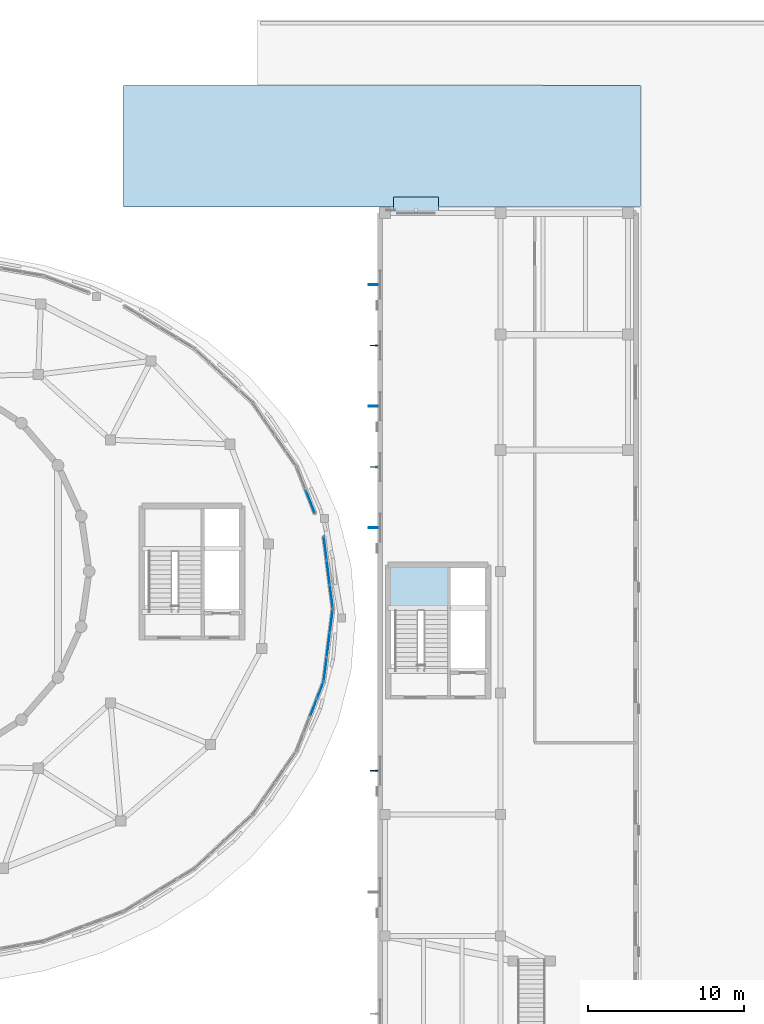
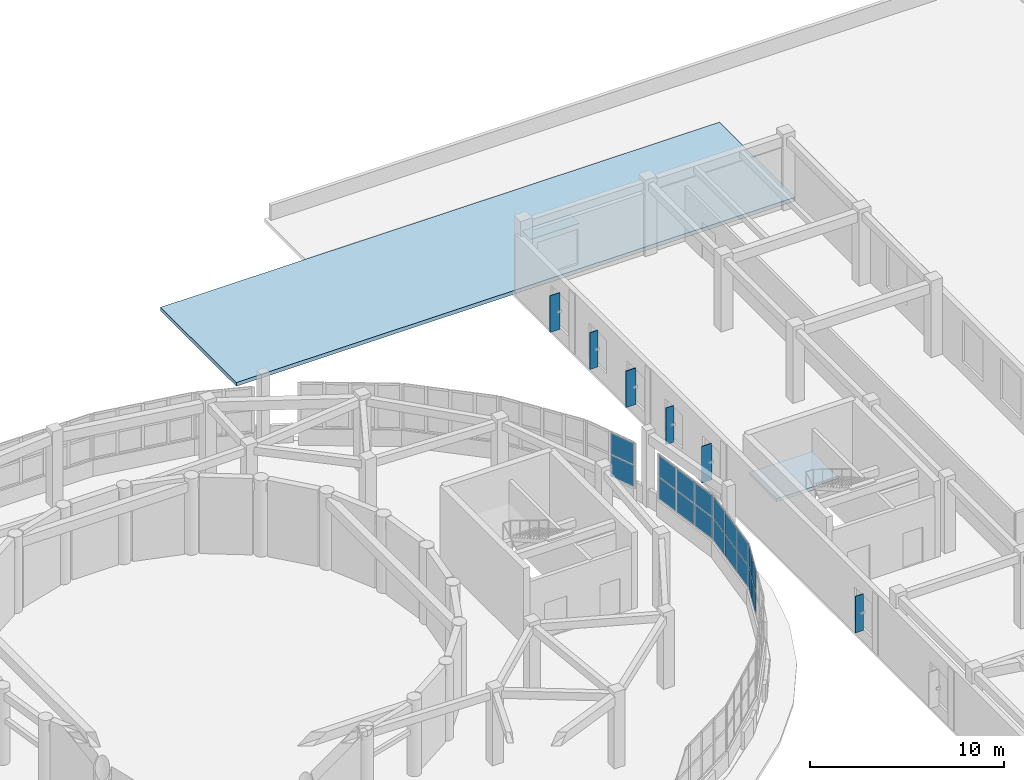
# One storey, part 83 of 105: 25 plates, 2 slabs, 5 elements without a shape of their own.
"""IFC4 building model written with IfcOpenShell, lengths in metres."""

from ifc_helpers import new_model, si_unit, direction, frame, origin, origin_2d, place, context, subcontext, project, spatial, polyline, rectangle, outline, extrude, material, layer, layer_set, type_object, element, aggregate, save


model = new_model("IFC4")

# Units and contexts
model_context = context("Model", 3, precision=1e-05, world=origin(), true_north=direction((0.0, 1.0)))
body_context = subcontext(model_context, "Body", "Model", "MODEL_VIEW")
ifc_project = project(units=[si_unit("LENGTHUNIT", "METRE"), si_unit("AREAUNIT", "SQUARE_METRE"), si_unit("VOLUMEUNIT", "CUBIC_METRE"), si_unit("PLANEANGLEUNIT", "RADIAN"), si_unit("MASSUNIT", "GRAM", prefix="KILO")], contexts=[model_context])

# Site, building, storey
site_placement = place(None, origin())
site = spatial("IfcSite", under=ifc_project, at=site_placement, CompositionType="ELEMENT")
building_placement = place(site_placement, origin())
building = spatial("IfcBuilding", under=site, at=building_placement, Name="Pelvatis Terrace Science Centre", CompositionType="ELEMENT")
storey_placement = place(building_placement, frame((0.0, 0.0, 10.199951171875)))
storey = spatial("IfcBuildingStorey", under=building, at=storey_placement, Name="L02", CompositionType="ELEMENT", Elevation=10.199951171875)

# Curtain wall, plates
ifc_material_1 = material(Name="Bronze-anodised aluminium and laminated glass", Category="aluminium")
ifc_layer_1 = layer(ifc_material_1, 0.179931640625)
ifc_layer_set_1 = layer_set([ifc_layer_1], Name="Bronze-anodised aluminium and laminated glass")
curtain_wall_type = type_object("IfcCurtainWallType", Name="CW-RIBBON-A", PredefinedType="NOTDEFINED", material=ifc_layer_set_1)
curtain_wall_1_placement = place(storey_placement, origin())
curtain_wall_1 = element("IfcCurtainWall", 1, at=curtain_wall_1_placement, inside=storey, type_object=curtain_wall_type, Name="Ribbon curtain wall CW-154 (L02)", PredefinedType="NOTDEFINED")
ifc_material_2 = material(Name="Low-e laminated solar-control double glazing", Category="glass")
ifc_layer_2 = layer(ifc_material_2, 0.035888671875)
ifc_layer_set_2 = layer_set([ifc_layer_2], Name="Low-e laminated solar-control double glazing")
plate_type_1 = type_object("IfcPlateType", Name="CWP-IGU-36", PredefinedType="CURTAIN_PANEL", material=ifc_layer_set_2)
plate_1_placement = place(storey_placement, frame((137.350341796875, 84.19287109375, 1.080078125), z_axis=(0.0, 0.0, 1.0), x_axis=(-0.124714930048, 0.992192615485, 0.0)))
plate_1 = element("IfcPlate", 2, at=plate_1_placement, type_object=plate_type_1, Name="CW-154 panel 1.1", PredefinedType="CURTAIN_PANEL", context=body_context, shape_type="SweptSolid", body=[
    extrude(rectangle(XDim=1.47802734375, YDim=0.035888671875, at=origin_2d()), origin(), (0.0, 0.0, 1.0), 1.330078125),
])
plate_2_placement = place(storey_placement, frame((137.350341796875, 84.19287109375, 2.469970703125), z_axis=(0.0, 0.0, 1.0), x_axis=(-0.124714930048, 0.992192615485, 0.0)))
plate_2 = element("IfcPlate", 3, at=plate_2_placement, type_object=plate_type_1, Name="CW-154 panel 1.2", PredefinedType="CURTAIN_PANEL", context=body_context, shape_type="SweptSolid", body=[
    extrude(rectangle(XDim=1.47802734375, YDim=0.035888671875, at=origin_2d()), origin(), (0.0, 0.0, 1.0), 1.330078125),
])
plate_3_placement = place(storey_placement, frame((137.15673828125, 85.73388671875, 1.080078125), z_axis=(0.0, 0.0, 1.0), x_axis=(-0.124714930048, 0.992192615485, 0.0)))
plate_3 = element("IfcPlate", 4, at=plate_3_placement, type_object=plate_type_1, Name="CW-154 panel 2.1", PredefinedType="CURTAIN_PANEL", context=body_context, shape_type="SweptSolid", body=[
    extrude(rectangle(XDim=1.508056640625, YDim=0.035888671875, at=origin_2d()), origin(), (0.0, 0.0, 1.0), 1.330078125),
])
plate_4_placement = place(storey_placement, frame((137.15673828125, 85.73388671875, 2.469970703125), z_axis=(0.0, 0.0, 1.0), x_axis=(-0.124714930048, 0.992192615485, 0.0)))
plate_4 = element("IfcPlate", 5, at=plate_4_placement, type_object=plate_type_1, Name="CW-154 panel 2.2", PredefinedType="CURTAIN_PANEL", context=body_context, shape_type="SweptSolid", body=[
    extrude(rectangle(XDim=1.508056640625, YDim=0.035888671875, at=origin_2d()), origin(), (0.0, 0.0, 1.0), 1.330078125),
])
plate_5_placement = place(storey_placement, frame((136.962890625, 87.27490234375, 1.080078125), z_axis=(0.0, 0.0, 1.0), x_axis=(-0.124714930048, 0.992192615485, 0.0)))
plate_5 = element("IfcPlate", 6, at=plate_5_placement, type_object=plate_type_1, Name="CW-154 panel 3.1", PredefinedType="CURTAIN_PANEL", context=body_context, shape_type="SweptSolid", body=[
    extrude(rectangle(XDim=1.47802734375, YDim=0.035888671875, at=origin_2d()), origin(), (0.0, 0.0, 1.0), 1.330078125),
])
plate_6_placement = place(storey_placement, frame((136.962890625, 87.27490234375, 2.469970703125), z_axis=(0.0, 0.0, 1.0), x_axis=(-0.124714930048, 0.992192615485, 0.0)))
plate_6 = element("IfcPlate", 7, at=plate_6_placement, type_object=plate_type_1, Name="CW-154 panel 3.2", PredefinedType="CURTAIN_PANEL", context=body_context, shape_type="SweptSolid", body=[
    extrude(rectangle(XDim=1.47802734375, YDim=0.035888671875, at=origin_2d()), origin(), (0.0, 0.0, 1.0), 1.330078125),
])
aggregate(curtain_wall_1, [plate_1, plate_2, plate_3, plate_4, plate_5, plate_6])

curtain_wall_2_placement = place(storey_placement, origin())
curtain_wall_2 = element("IfcCurtainWall", 8, at=curtain_wall_2_placement, inside=storey, type_object=curtain_wall_type, Name="Ribbon curtain wall CW-155 (L02)", PredefinedType="NOTDEFINED")
plate_7_placement = place(storey_placement, frame((136.00732421875, 90.27001953125, 1.080078125), z_axis=(0.0, 0.0, 1.0), x_axis=(-0.36221346701, 0.932095169131, 0.0)))
plate_7 = element("IfcPlate", 9, at=plate_7_placement, type_object=plate_type_1, Name="CW-155 panel 1.1", PredefinedType="CURTAIN_PANEL", context=body_context, shape_type="SweptSolid", body=[
    extrude(rectangle(XDim=1.537353515625, YDim=0.035888671875, at=origin_2d()), origin(), (0.0, 0.0, 1.0), 1.330078125),
])
plate_8_placement = place(storey_placement, frame((136.00732421875, 90.27001953125, 2.469970703125), z_axis=(0.0, 0.0, 1.0), x_axis=(-0.36221346701, 0.932095169131, 0.0)))
plate_8 = element("IfcPlate", 10, at=plate_8_placement, type_object=plate_type_1, Name="CW-155 panel 1.2", PredefinedType="CURTAIN_PANEL", context=body_context, shape_type="SweptSolid", body=[
    extrude(rectangle(XDim=1.537353515625, YDim=0.035888671875, at=origin_2d()), origin(), (0.0, 0.0, 1.0), 1.330078125),
])
aggregate(curtain_wall_2, [plate_7, plate_8])

curtain_wall_3_placement = place(storey_placement, origin())
curtain_wall_3 = element("IfcCurtainWall", 11, at=curtain_wall_3_placement, inside=storey, type_object=curtain_wall_type, Name="Ribbon curtain wall CW-181 (L02)", PredefinedType="NOTDEFINED")
plate_9_placement = place(storey_placement, frame((136.212890625, 77.05859375, 1.080078125), z_axis=(0.0, 0.0, 1.0), x_axis=(0.362220522536, 0.932092427313, 0.0)))
plate_9 = element("IfcPlate", 12, at=plate_9_placement, type_object=plate_type_1, Name="CW-181 panel 3.1", PredefinedType="CURTAIN_PANEL", context=body_context, shape_type="SweptSolid", body=[
    extrude(rectangle(XDim=1.13720703125, YDim=0.035888671875, at=origin_2d()), origin(), (0.0, 0.0, 1.0), 1.330078125),
])
plate_10_placement = place(storey_placement, frame((136.212890625, 77.05859375, 2.469970703125), z_axis=(0.0, 0.0, 1.0), x_axis=(0.362220522536, 0.932092427313, 0.0)))
plate_10 = element("IfcPlate", 13, at=plate_10_placement, type_object=plate_type_1, Name="CW-181 panel 3.2", PredefinedType="CURTAIN_PANEL", context=body_context, shape_type="SweptSolid", body=[
    extrude(rectangle(XDim=1.13720703125, YDim=0.035888671875, at=origin_2d()), origin(), (0.0, 0.0, 1.0), 1.330078125),
])
plate_11_placement = place(storey_placement, frame((136.64111328125, 78.160400390625, 1.080078125), z_axis=(0.0, 0.0, 1.0), x_axis=(0.362220522536, 0.932092427313, 0.0)))
plate_11 = element("IfcPlate", 14, at=plate_11_placement, type_object=plate_type_1, Name="CW-181 panel 4.1", PredefinedType="CURTAIN_PANEL", context=body_context, shape_type="SweptSolid", body=[
    extrude(rectangle(XDim=1.107177734375, YDim=0.035888671875, at=origin_2d()), origin(), (0.0, 0.0, 1.0), 1.330078125),
])
plate_12_placement = place(storey_placement, frame((136.64111328125, 78.160400390625, 2.469970703125), z_axis=(0.0, 0.0, 1.0), x_axis=(0.362220522536, 0.932092427313, 0.0)))
plate_12 = element("IfcPlate", 15, at=plate_12_placement, type_object=plate_type_1, Name="CW-181 panel 4.2", PredefinedType="CURTAIN_PANEL", context=body_context, shape_type="SweptSolid", body=[
    extrude(rectangle(XDim=1.107177734375, YDim=0.035888671875, at=origin_2d()), origin(), (0.0, 0.0, 1.0), 1.330078125),
])
aggregate(curtain_wall_3, [plate_9, plate_10, plate_11, plate_12])

curtain_wall_4_placement = place(storey_placement, origin())
curtain_wall_4 = element("IfcCurtainWall", 16, at=curtain_wall_4_placement, inside=storey, type_object=curtain_wall_type, Name="Ribbon curtain wall CW-182 (L02)", PredefinedType="NOTDEFINED")
plate_13_placement = place(storey_placement, frame((136.962890625, 79.525146484375, 1.080078125), z_axis=(0.0, 0.0, 1.0), x_axis=(0.124714930048, 0.992192615485, 0.0)))
plate_13 = element("IfcPlate", 17, at=plate_13_placement, type_object=plate_type_1, Name="CW-182 panel 1.1", PredefinedType="CURTAIN_PANEL", context=body_context, shape_type="SweptSolid", body=[
    extrude(rectangle(XDim=1.47802734375, YDim=0.035888671875, at=origin_2d()), origin(), (0.0, 0.0, 1.0), 1.330078125),
])
plate_14_placement = place(storey_placement, frame((136.962890625, 79.525146484375, 2.469970703125), z_axis=(0.0, 0.0, 1.0), x_axis=(0.124714930048, 0.992192615485, 0.0)))
plate_14 = element("IfcPlate", 18, at=plate_14_placement, type_object=plate_type_1, Name="CW-182 panel 1.2", PredefinedType="CURTAIN_PANEL", context=body_context, shape_type="SweptSolid", body=[
    extrude(rectangle(XDim=1.47802734375, YDim=0.035888671875, at=origin_2d()), origin(), (0.0, 0.0, 1.0), 1.330078125),
])
plate_15_placement = place(storey_placement, frame((137.15673828125, 81.066162109375, 1.080078125), z_axis=(0.0, 0.0, 1.0), x_axis=(0.124714930048, 0.992192615485, 0.0)))
plate_15 = element("IfcPlate", 19, at=plate_15_placement, type_object=plate_type_1, Name="CW-182 panel 2.1", PredefinedType="CURTAIN_PANEL", context=body_context, shape_type="SweptSolid", body=[
    extrude(rectangle(XDim=1.508056640625, YDim=0.035888671875, at=origin_2d()), origin(), (0.0, 0.0, 1.0), 1.330078125),
])
plate_16_placement = place(storey_placement, frame((137.15673828125, 81.066162109375, 2.469970703125), z_axis=(0.0, 0.0, 1.0), x_axis=(0.124714930048, 0.992192615485, 0.0)))
plate_16 = element("IfcPlate", 20, at=plate_16_placement, type_object=plate_type_1, Name="CW-182 panel 2.2", PredefinedType="CURTAIN_PANEL", context=body_context, shape_type="SweptSolid", body=[
    extrude(rectangle(XDim=1.508056640625, YDim=0.035888671875, at=origin_2d()), origin(), (0.0, 0.0, 1.0), 1.330078125),
])
plate_17_placement = place(storey_placement, frame((137.350341796875, 82.607177734375, 1.080078125), z_axis=(0.0, 0.0, 1.0), x_axis=(0.124714930048, 0.992192615485, 0.0)))
plate_17 = element("IfcPlate", 21, at=plate_17_placement, type_object=plate_type_1, Name="CW-182 panel 3.1", PredefinedType="CURTAIN_PANEL", context=body_context, shape_type="SweptSolid", body=[
    extrude(rectangle(XDim=1.47802734375, YDim=0.035888671875, at=origin_2d()), origin(), (0.0, 0.0, 1.0), 1.330078125),
])
plate_18_placement = place(storey_placement, frame((137.350341796875, 82.607177734375, 2.469970703125), z_axis=(0.0, 0.0, 1.0), x_axis=(0.124714930048, 0.992192615485, 0.0)))
plate_18 = element("IfcPlate", 22, at=plate_18_placement, type_object=plate_type_1, Name="CW-182 panel 3.2", PredefinedType="CURTAIN_PANEL", context=body_context, shape_type="SweptSolid", body=[
    extrude(rectangle(XDim=1.47802734375, YDim=0.035888671875, at=origin_2d()), origin(), (0.0, 0.0, 1.0), 1.330078125),
])
aggregate(curtain_wall_4, [plate_13, plate_14, plate_15, plate_16, plate_17, plate_18])

# Plates
ifc_material_3 = material(Name="Perforated architectural bronze brise-soleil fin", Category="aluminium")
ifc_layer_3 = layer(ifc_material_3, 3.10009765625)
ifc_layer_set_3 = layer_set([ifc_layer_3], Name="Perforated architectural bronze brise-soleil fin")
plate_type_2 = type_object("IfcPlateType", Name="PLT-FIN-W480", PredefinedType="SHEET", material=ifc_layer_set_3)
for number, where, z_axis, x_axis, name in (
    (23, (140.094970703125, 73.0, 0.68017578125), (0.0, 0.0, 1.0), (1.0, 0.0, 0.0), "West bronze brise-soleil fin 089"),
    (24, (140.094970703125, 92.5, 0.68017578125), (0.0, 0.0, 1.0), (1.0, 0.0, 0.0), "West bronze brise-soleil fin 091"),
    (25, (140.094970703125, 100.300048828125, 0.68017578125), (0.0, 0.0, 1.0), (1.0, 0.0, 0.0), "West bronze brise-soleil fin 093"),
):
    element("IfcPlate", number, at=place(storey_placement, frame(where, z_axis=z_axis, x_axis=x_axis)), inside=storey, type_object=plate_type_2, Name=name, PredefinedType="SHEET", context=body_context, shape_type="SweptSolid", body=[
        extrude(rectangle(XDim=0.47998046875, YDim=0.044921875, at=origin_2d()), origin(), (0.0, 0.0, 1.0), 2.300048828125),
    ])
ifc_material_4 = material(Name="Perforated architectural bronze brise-soleil fin", Category="aluminium")
ifc_layer_4 = layer(ifc_material_4, 3.39990234375)
ifc_layer_set_4 = layer_set([ifc_layer_4], Name="Perforated architectural bronze brise-soleil fin")
plate_type_3 = type_object("IfcPlateType", Name="PLT-FIN-W600", PredefinedType="SHEET", material=ifc_layer_set_4)
for number, where, z_axis, x_axis, name in (
    (26, (140.034912109375, 88.60009765625, 0.68017578125), (0.0, 0.0, 1.0), (1.0, 0.0, 0.0), "West bronze brise-soleil fin 090"),
    (27, (140.034912109375, 96.39990234375, 0.68017578125), (0.0, 0.0, 1.0), (1.0, 0.0, 0.0), "West bronze brise-soleil fin 092"),
    (28, (140.034912109375, 104.199951171875, 0.68017578125), (0.0, 0.0, 1.0), (1.0, 0.0, 0.0), "West bronze brise-soleil fin 094"),
):
    element("IfcPlate", number, at=place(storey_placement, frame(where, z_axis=z_axis, x_axis=x_axis)), inside=storey, type_object=plate_type_3, Name=name, PredefinedType="SHEET", context=body_context, shape_type="SweptSolid", body=[
        extrude(rectangle(XDim=0.60009765625, YDim=0.044921875, at=origin_2d()), origin(), (0.0, 0.0, 1.0), 2.300048828125),
    ])
ifc_material_5 = material(Name="Perforated architectural bronze sunshade canopy", Category="aluminium")
ifc_layer_5 = layer(ifc_material_5, 0.044921875)
ifc_layer_set_5 = layer_set([ifc_layer_5], Name="Perforated architectural bronze sunshade canopy")
plate_type_4 = type_object("IfcPlateType", Name="PLT-SHD-N900", PredefinedType="SHEET", material=ifc_layer_set_5)
plate_19_placement = place(storey_placement, frame((142.780029296875, 109.39501953125, 3.03759765625), z_axis=(0.0, 0.0, 1.0), x_axis=(1.0, 0.0, 0.0)))
element("IfcPlate", 29, at=plate_19_placement, inside=storey, type_object=plate_type_4, Name="North solar sunshade 084", PredefinedType="SHEET", context=body_context, shape_type="SweptSolid", body=[
    extrude(rectangle(XDim=2.89990234375, YDim=0.89990234375, at=origin_2d()), origin(), (0.0, 0.0, 1.0), 0.044921875),
])

# Stair, slab
ifc_material_6 = material(Name="Concrete C35/45", Category="concrete")
stair_type = type_object("IfcStairType", Name="STR-2RUN-1500-48", PredefinedType="TWO_STRAIGHT_RUN_STAIR", material=ifc_material_6)
stair_placement = place(storey_placement, origin())
stair = element("IfcStair", 30, at=stair_placement, inside=storey, type_object=stair_type, Name="Protected core stair ST-03-L02", PredefinedType="TWO_STRAIGHT_RUN_STAIR")
ifc_material_7 = material(Name="Concrete C35/45", Category="concrete")
ifc_layer_6 = layer(ifc_material_7, 0.199951171875)
ifc_layer_set_6 = layer_set([ifc_layer_6], Name="Concrete C35/45")
slab_type_1 = type_object("IfcSlabType", Name="SLB-LND-200", PredefinedType="LANDING", material=ifc_layer_set_6)
slab_1_placement = place(storey_placement, frame((0.0, 0.0, 2.199951171875)))
slab_1 = element("IfcSlab", 31, at=slab_1_placement, type_object=slab_type_1, Name="ST-03-L02 landing 1", PredefinedType="LANDING", context=body_context, shape_type="SweptSolid", body=[
    extrude(outline(polyline([(141.1298828125, 83.300048828125), (144.85009765625, 83.300048828125), (144.85009765625, 86.070068359375), (141.1298828125, 86.070068359375), (141.1298828125, 83.300048828125)])), origin(), (0.0, 0.0, 1.0), 0.2001953125),
])
aggregate(stair, [slab_1])

# Slab
ifc_material_8 = material(Name="Concrete C35/45", Category="concrete")
ifc_layer_7 = layer(ifc_material_8, 0.236083984375)
ifc_layer_set_7 = layer_set([ifc_layer_7], Name="Concrete C35/45")
slab_type_2 = type_object("IfcSlabType", Name="SLB-ROOF-236", PredefinedType="ROOF", material=ifc_layer_set_7)
slab_2_placement = place(storey_placement, frame((0.0, 0.0, -0.23583984375)))
element("IfcSlab", 32, at=slab_2_placement, inside=storey, type_object=slab_type_2, Name="L02 North hillside entrance concourse roof slab", PredefinedType="ROOF", context=body_context, shape_type="SweptSolid", body=[
    extrude(outline(polyline([(124.0, 117.0), (157.199951171875, 117.0), (157.199951171875, 109.219970703125), (124.0, 109.199951171875), (124.0, 117.0)])), origin(), (0.0, 0.0, 1.0), 0.23583984375),
])

save(model, "model.ifc")
